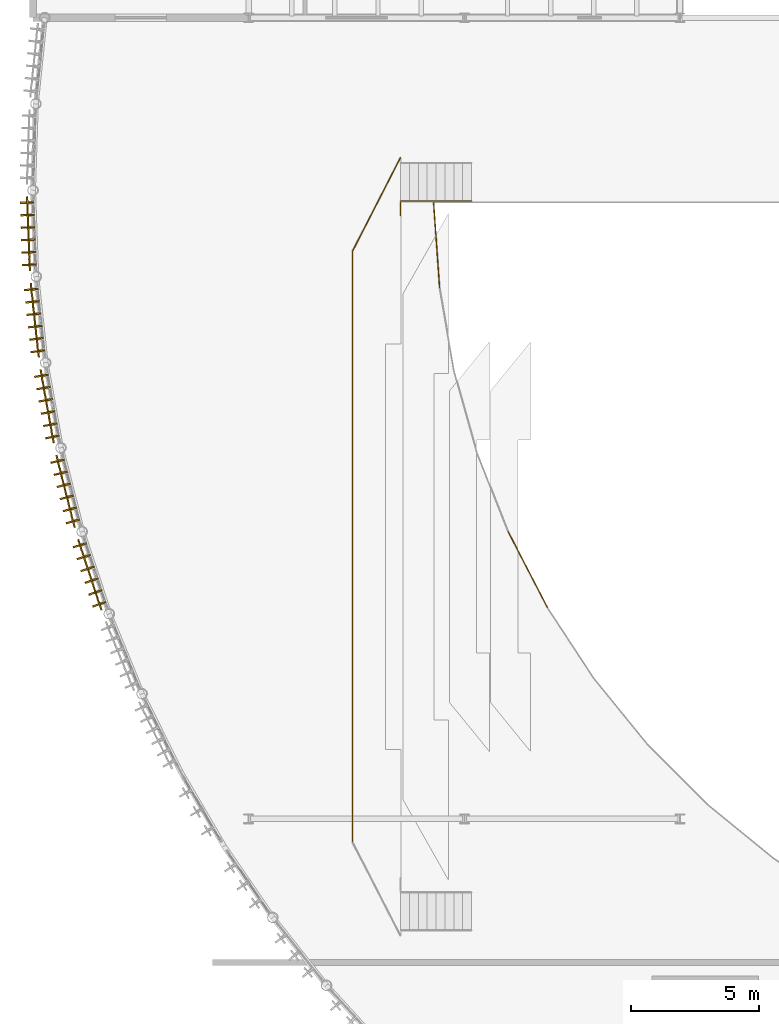
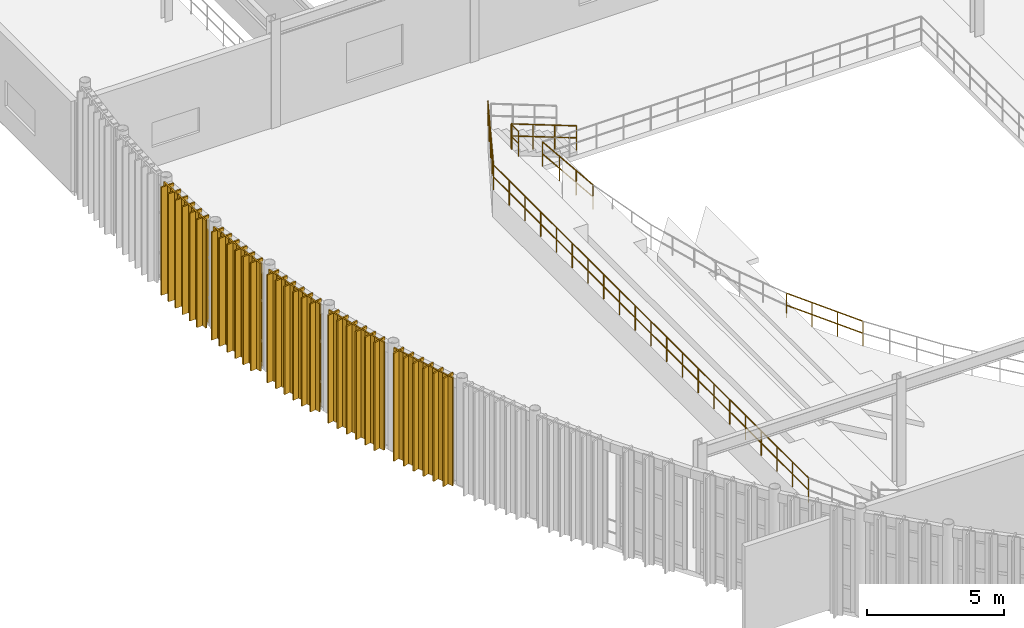
# One storey, part 99 of 105: 30 coverings, 30 shading devices, 6 railings.
"""IFC4 building model written with IfcOpenShell, lengths in metres."""

from ifc_helpers import new_model, si_unit, direction, frame, origin, origin_2d, place, context, subcontext, project, spatial, polyline, rectangle, circle, outline, extrude, material, layer, layer_set, material_profile, profile_set, type_object, element, save


model = new_model("IFC4")

# Units and contexts
model_context = context("Model", 3, precision=1e-05, world=origin(), true_north=direction((0.0, 1.0)))
body_context = subcontext(model_context, "Body", "Model", "MODEL_VIEW")
ifc_project = project(units=[si_unit("LENGTHUNIT", "METRE"), si_unit("AREAUNIT", "SQUARE_METRE"), si_unit("VOLUMEUNIT", "CUBIC_METRE"), si_unit("PLANEANGLEUNIT", "RADIAN"), si_unit("MASSUNIT", "GRAM", prefix="KILO")], contexts=[model_context])

# Site, building, storey
site_placement = place(None, origin())
site = spatial("IfcSite", under=ifc_project, at=site_placement, CompositionType="ELEMENT")
building_placement = place(site_placement, origin())
building = spatial("IfcBuilding", under=site, at=building_placement, Name="Selat Folded Stagehouse", CompositionType="ELEMENT")
storey_placement = place(building_placement, frame((0.0, 0.0, 10.199951171875)))
storey = spatial("IfcBuildingStorey", under=building, at=storey_placement, Name="L02", CompositionType="ELEMENT", Elevation=10.199951171875)

# Coverings
ifc_material_1 = material(Name="Bronze-anodised aluminium 6063-T6", Category="aluminium")
ifc_layer_1 = layer(ifc_material_1, 0.06201171875)
ifc_layer_set_1 = layer_set([ifc_layer_1], Name="Bronze-anodised aluminium 6063-T6")
covering_type = type_object("IfcCoveringType", Name="COV-FIN-BRZ48", PredefinedType="CLADDING", material=ifc_layer_set_1)
covering_1_placement = place(storey_placement, frame((0.0, 0.0, -0.099853515625)))
element("IfcCovering", 1, at=covering_1_placement, inside=storey, type_object=covering_type, Name="L02 drum bronze fin cladding sheath 069", PredefinedType="CLADDING", context=body_context, shape_type="SweptSolid", body=[
    extrude(outline(polyline([(0.037841796875, 47.432861328125), (-0.502197265625, 47.42626953125), (-0.50146484375, 47.3623046875), (0.03857421875, 47.368896484375), (0.037841796875, 47.432861328125)])), origin(), (0.0, 0.0, 1.0), 4.81982421875),
])
covering_2_placement = place(storey_placement, frame((0.0, 0.0, -0.099853515625)))
element("IfcCovering", 2, at=covering_2_placement, inside=storey, type_object=covering_type, Name="L02 drum bronze fin cladding sheath 075", PredefinedType="CLADDING", context=body_context, shape_type="SweptSolid", body=[
    extrude(outline(polyline([(0.055419921875, 46.9521484375), (-0.484375, 46.93994140625), (-0.48291015625, 46.8759765625), (0.056884765625, 46.88818359375), (0.055419921875, 46.9521484375)])), origin(), (0.0, 0.0, 1.0), 4.81982421875),
])
covering_3_placement = place(storey_placement, frame((0.0, 0.0, -0.099853515625)))
element("IfcCovering", 3, at=covering_3_placement, inside=storey, type_object=covering_type, Name="L02 drum bronze fin cladding sheath 081", PredefinedType="CLADDING", context=body_context, shape_type="SweptSolid", body=[
    extrude(outline(polyline([(0.0732421875, 46.471435546875), (-0.46630859375, 46.453857421875), (-0.46435546875, 46.389892578125), (0.075439453125, 46.407470703125), (0.0732421875, 46.471435546875)])), origin(), (0.0, 0.0, 1.0), 4.81982421875),
])
covering_4_placement = place(storey_placement, frame((0.0, 0.0, -0.099853515625)))
element("IfcCovering", 4, at=covering_4_placement, inside=storey, type_object=covering_type, Name="L02 drum bronze fin cladding sheath 087", PredefinedType="CLADDING", context=body_context, shape_type="SweptSolid", body=[
    extrude(outline(polyline([(0.091064453125, 45.99072265625), (-0.448486328125, 45.9677734375), (-0.44580078125, 45.90380859375), (0.09375, 45.9267578125), (0.091064453125, 45.99072265625)])), origin(), (0.0, 0.0, 1.0), 4.81982421875),
])
covering_5_placement = place(storey_placement, frame((0.0, 0.0, -0.099853515625)))
element("IfcCovering", 5, at=covering_5_placement, inside=storey, type_object=covering_type, Name="L02 drum bronze fin cladding sheath 093", PredefinedType="CLADDING", context=body_context, shape_type="SweptSolid", body=[
    extrude(outline(polyline([(0.10888671875, 45.510009765625), (-0.430419921875, 45.4814453125), (-0.427001953125, 45.41748046875), (0.1123046875, 45.446044921875), (0.10888671875, 45.510009765625)])), origin(), (0.0, 0.0, 1.0), 4.81982421875),
])
covering_6_placement = place(storey_placement, frame((0.0, 0.0, -0.099853515625)))
element("IfcCovering", 6, at=covering_6_placement, inside=storey, type_object=covering_type, Name="L02 drum bronze fin cladding sheath 099", PredefinedType="CLADDING", context=body_context, shape_type="SweptSolid", body=[
    extrude(outline(polyline([(0.126708984375, 45.029052734375), (-0.412353515625, 44.995361328125), (-0.408447265625, 44.931396484375), (0.130615234375, 44.96533203125), (0.126708984375, 45.029052734375)])), origin(), (0.0, 0.0, 1.0), 4.81982421875),
])
covering_7_placement = place(storey_placement, frame((0.0, 0.0, -0.099853515625)))
element("IfcCovering", 7, at=covering_7_placement, inside=storey, type_object=covering_type, Name="L02 drum bronze fin cladding sheath 105", PredefinedType="CLADDING", context=body_context, shape_type="SweptSolid", body=[
    extrude(outline(polyline([(0.19580078125, 44.070068359375), (-0.34228515625, 44.025390625), (-0.337158203125, 43.961669921875), (0.200927734375, 44.00634765625), (0.19580078125, 44.070068359375)])), origin(), (0.0, 0.0, 1.0), 4.81982421875),
])
covering_8_placement = place(storey_placement, frame((0.0, 0.0, -0.099853515625)))
element("IfcCovering", 8, at=covering_8_placement, inside=storey, type_object=covering_type, Name="L02 drum bronze fin cladding sheath 111", PredefinedType="CLADDING", context=body_context, shape_type="SweptSolid", body=[
    extrude(outline(polyline([(0.247314453125, 43.591796875), (-0.29052734375, 43.541748046875), (-0.28466796875, 43.47802734375), (0.253173828125, 43.528076171875), (0.247314453125, 43.591796875)])), origin(), (0.0, 0.0, 1.0), 4.81982421875),
])
covering_9_placement = place(storey_placement, frame((0.0, 0.0, -0.099853515625)))
element("IfcCovering", 9, at=covering_9_placement, inside=storey, type_object=covering_type, Name="L02 drum bronze fin cladding sheath 117", PredefinedType="CLADDING", context=body_context, shape_type="SweptSolid", body=[
    extrude(outline(polyline([(0.298583984375, 43.11328125), (-0.238525390625, 43.05810546875), (-0.23193359375, 42.994384765625), (0.30517578125, 43.0498046875), (0.298583984375, 43.11328125)])), origin(), (0.0, 0.0, 1.0), 4.81982421875),
])
covering_10_placement = place(storey_placement, frame((0.0, 0.0, -0.099853515625)))
element("IfcCovering", 10, at=covering_10_placement, inside=storey, type_object=covering_type, Name="L02 drum bronze fin cladding sheath 123", PredefinedType="CLADDING", context=body_context, shape_type="SweptSolid", body=[
    extrude(outline(polyline([(0.35009765625, 42.635009765625), (-0.1865234375, 42.57421875), (-0.17919921875, 42.5107421875), (0.357421875, 42.571533203125), (0.35009765625, 42.635009765625)])), origin(), (0.0, 0.0, 1.0), 4.81982421875),
])
covering_11_placement = place(storey_placement, frame((0.0, 0.0, -0.099853515625)))
element("IfcCovering", 11, at=covering_11_placement, inside=storey, type_object=covering_type, Name="L02 drum bronze fin cladding sheath 129", PredefinedType="CLADDING", context=body_context, shape_type="SweptSolid", body=[
    extrude(outline(polyline([(0.401611328125, 42.15673828125), (-0.134521484375, 42.090576171875), (-0.126708984375, 42.027099609375), (0.4091796875, 42.09326171875), (0.401611328125, 42.15673828125)])), origin(), (0.0, 0.0, 1.0), 4.81982421875),
])
covering_12_placement = place(storey_placement, frame((0.0, 0.0, -0.099853515625)))
element("IfcCovering", 12, at=covering_12_placement, inside=storey, type_object=covering_type, Name="L02 drum bronze fin cladding sheath 135", PredefinedType="CLADDING", context=body_context, shape_type="SweptSolid", body=[
    extrude(outline(polyline([(0.452880859375, 41.678466796875), (-0.082275390625, 41.606689453125), (-0.073974609375, 41.54345703125), (0.46142578125, 41.614990234375), (0.452880859375, 41.678466796875)])), origin(), (0.0, 0.0, 1.0), 4.81982421875),
])
covering_13_placement = place(storey_placement, frame((0.0, 0.0, -0.099853515625)))
element("IfcCovering", 13, at=covering_13_placement, inside=storey, type_object=covering_type, Name="L02 drum bronze fin cladding sheath 141", PredefinedType="CLADDING", context=body_context, shape_type="SweptSolid", body=[
    extrude(outline(polyline([(0.589111328125, 40.7265625), (0.055419921875, 40.644287109375), (0.065185546875, 40.5810546875), (0.598876953125, 40.6630859375), (0.589111328125, 40.7265625)])), origin(), (0.0, 0.0, 1.0), 4.81982421875),
])
covering_14_placement = place(storey_placement, frame((0.0, 0.0, -0.099853515625)))
element("IfcCovering", 14, at=covering_14_placement, inside=storey, type_object=covering_type, Name="L02 drum bronze fin cladding sheath 147", PredefinedType="CLADDING", context=body_context, shape_type="SweptSolid", body=[
    extrude(outline(polyline([(0.674072265625, 40.2529296875), (0.14111328125, 40.165283203125), (0.151611328125, 40.102294921875), (0.684326171875, 40.189697265625), (0.674072265625, 40.2529296875)])), origin(), (0.0, 0.0, 1.0), 4.81982421875),
])
covering_15_placement = place(storey_placement, frame((0.0, 0.0, -0.099853515625)))
element("IfcCovering", 15, at=covering_15_placement, inside=storey, type_object=covering_type, Name="L02 drum bronze fin cladding sheath 153", PredefinedType="CLADDING", context=body_context, shape_type="SweptSolid", body=[
    extrude(outline(polyline([(0.7587890625, 39.779296875), (0.22705078125, 39.6865234375), (0.238037109375, 39.623291015625), (0.77001953125, 39.71630859375), (0.7587890625, 39.779296875)])), origin(), (0.0, 0.0, 1.0), 4.81982421875),
])
covering_16_placement = place(storey_placement, frame((0.0, 0.0, -0.099853515625)))
element("IfcCovering", 16, at=covering_16_placement, inside=storey, type_object=covering_type, Name="L02 drum bronze fin cladding sheath 159", PredefinedType="CLADDING", context=body_context, shape_type="SweptSolid", body=[
    extrude(outline(polyline([(0.84375, 39.305908203125), (0.312744140625, 39.20751953125), (0.324462890625, 39.144775390625), (0.85546875, 39.242919921875), (0.84375, 39.305908203125)])), origin(), (0.0, 0.0, 1.0), 4.81982421875),
])
covering_17_placement = place(storey_placement, frame((0.0, 0.0, -0.099853515625)))
element("IfcCovering", 17, at=covering_17_placement, inside=storey, type_object=covering_type, Name="L02 drum bronze fin cladding sheath 165", PredefinedType="CLADDING", context=body_context, shape_type="SweptSolid", body=[
    extrude(outline(polyline([(0.9287109375, 38.832275390625), (0.398681640625, 38.728759765625), (0.410888671875, 38.666015625), (0.94091796875, 38.76953125), (0.9287109375, 38.832275390625)])), origin(), (0.0, 0.0, 1.0), 4.81982421875),
])
covering_18_placement = place(storey_placement, frame((0.0, 0.0, -0.099853515625)))
element("IfcCovering", 18, at=covering_18_placement, inside=storey, type_object=covering_type, Name="L02 drum bronze fin cladding sheath 171", PredefinedType="CLADDING", context=body_context, shape_type="SweptSolid", body=[
    extrude(outline(polyline([(1.013427734375, 38.35888671875), (0.484619140625, 38.25), (0.497314453125, 38.187255859375), (1.0263671875, 38.296142578125), (1.013427734375, 38.35888671875)])), origin(), (0.0, 0.0, 1.0), 4.81982421875),
])
covering_19_placement = place(storey_placement, frame((0.0, 0.0, -0.099853515625)))
element("IfcCovering", 19, at=covering_19_placement, inside=storey, type_object=covering_type, Name="L02 drum bronze fin cladding sheath 177", PredefinedType="CLADDING", context=body_context, shape_type="SweptSolid", body=[
    extrude(outline(polyline([(1.216064453125, 37.418701171875), (0.689453125, 37.29931640625), (0.70361328125, 37.23681640625), (1.230224609375, 37.3564453125), (1.216064453125, 37.418701171875)])), origin(), (0.0, 0.0, 1.0), 4.81982421875),
])
covering_20_placement = place(storey_placement, frame((0.0, 0.0, -0.099853515625)))
element("IfcCovering", 20, at=covering_20_placement, inside=storey, type_object=covering_type, Name="L02 drum bronze fin cladding sheath 183", PredefinedType="CLADDING", context=body_context, shape_type="SweptSolid", body=[
    extrude(outline(polyline([(1.333984375, 36.952392578125), (0.80859375, 36.82763671875), (0.823486328125, 36.765380859375), (1.348876953125, 36.89013671875), (1.333984375, 36.952392578125)])), origin(), (0.0, 0.0, 1.0), 4.81982421875),
])
covering_21_placement = place(storey_placement, frame((0.0, 0.0, -0.099853515625)))
element("IfcCovering", 21, at=covering_21_placement, inside=storey, type_object=covering_type, Name="L02 drum bronze fin cladding sheath 189", PredefinedType="CLADDING", context=body_context, shape_type="SweptSolid", body=[
    extrude(outline(polyline([(1.451904296875, 36.48583984375), (0.927734375, 36.35595703125), (0.943115234375, 36.293701171875), (1.46728515625, 36.423828125), (1.451904296875, 36.48583984375)])), origin(), (0.0, 0.0, 1.0), 4.81982421875),
])
covering_22_placement = place(storey_placement, frame((0.0, 0.0, -0.099853515625)))
element("IfcCovering", 22, at=covering_22_placement, inside=storey, type_object=covering_type, Name="L02 drum bronze fin cladding sheath 195", PredefinedType="CLADDING", context=body_context, shape_type="SweptSolid", body=[
    extrude(outline(polyline([(1.569580078125, 36.01953125), (1.046875, 35.88427734375), (1.06298828125, 35.822265625), (1.585693359375, 35.95751953125), (1.569580078125, 36.01953125)])), origin(), (0.0, 0.0, 1.0), 4.81982421875),
])
covering_23_placement = place(storey_placement, frame((0.0, 0.0, -0.099853515625)))
element("IfcCovering", 23, at=covering_23_placement, inside=storey, type_object=covering_type, Name="L02 drum bronze fin cladding sheath 201", PredefinedType="CLADDING", context=body_context, shape_type="SweptSolid", body=[
    extrude(outline(polyline([(1.6875, 35.552978515625), (1.166259765625, 35.41259765625), (1.182861328125, 35.350830078125), (1.7041015625, 35.4912109375), (1.6875, 35.552978515625)])), origin(), (0.0, 0.0, 1.0), 4.81982421875),
])
covering_24_placement = place(storey_placement, frame((0.0, 0.0, -0.099853515625)))
element("IfcCovering", 24, at=covering_24_placement, inside=storey, type_object=covering_type, Name="L02 drum bronze fin cladding sheath 207", PredefinedType="CLADDING", context=body_context, shape_type="SweptSolid", body=[
    extrude(outline(polyline([(1.805419921875, 35.086669921875), (1.285400390625, 34.94091796875), (1.302734375, 34.87939453125), (1.82275390625, 35.02490234375), (1.805419921875, 35.086669921875)])), origin(), (0.0, 0.0, 1.0), 4.81982421875),
])
covering_25_placement = place(storey_placement, frame((0.0, 0.0, -0.099853515625)))
element("IfcCovering", 25, at=covering_25_placement, inside=storey, type_object=covering_type, Name="L02 drum bronze fin cladding sheath 213", PredefinedType="CLADDING", context=body_context, shape_type="SweptSolid", body=[
    extrude(outline(polyline([(2.073486328125, 34.1630859375), (1.556640625, 34.007080078125), (1.5751953125, 33.94580078125), (2.092041015625, 34.101806640625), (2.073486328125, 34.1630859375)])), origin(), (0.0, 0.0, 1.0), 4.81982421875),
])
covering_26_placement = place(storey_placement, frame((0.0, 0.0, -0.099853515625)))
element("IfcCovering", 26, at=covering_26_placement, inside=storey, type_object=covering_type, Name="L02 drum bronze fin cladding sheath 219", PredefinedType="CLADDING", context=body_context, shape_type="SweptSolid", body=[
    extrude(outline(polyline([(2.223876953125, 33.706298828125), (1.70849609375, 33.544921875), (1.7275390625, 33.48388671875), (2.242919921875, 33.64501953125), (2.223876953125, 33.706298828125)])), origin(), (0.0, 0.0, 1.0), 4.81982421875),
])
covering_27_placement = place(storey_placement, frame((0.0, 0.0, -0.099853515625)))
element("IfcCovering", 27, at=covering_27_placement, inside=storey, type_object=covering_type, Name="L02 drum bronze fin cladding sheath 225", PredefinedType="CLADDING", context=body_context, shape_type="SweptSolid", body=[
    extrude(outline(polyline([(2.3740234375, 33.249267578125), (1.8603515625, 33.082763671875), (1.880126953125, 33.02197265625), (2.393798828125, 33.188232421875), (2.3740234375, 33.249267578125)])), origin(), (0.0, 0.0, 1.0), 4.81982421875),
])
covering_28_placement = place(storey_placement, frame((0.0, 0.0, -0.099853515625)))
element("IfcCovering", 28, at=covering_28_placement, inside=storey, type_object=covering_type, Name="L02 drum bronze fin cladding sheath 231", PredefinedType="CLADDING", context=body_context, shape_type="SweptSolid", body=[
    extrude(outline(polyline([(2.5244140625, 32.792236328125), (2.012451171875, 32.62060546875), (2.03271484375, 32.559814453125), (2.544921875, 32.7314453125), (2.5244140625, 32.792236328125)])), origin(), (0.0, 0.0, 1.0), 4.81982421875),
])
covering_29_placement = place(storey_placement, frame((0.0, 0.0, -0.099853515625)))
element("IfcCovering", 29, at=covering_29_placement, inside=storey, type_object=covering_type, Name="L02 drum bronze fin cladding sheath 237", PredefinedType="CLADDING", context=body_context, shape_type="SweptSolid", body=[
    extrude(outline(polyline([(2.6748046875, 32.335205078125), (2.16455078125, 32.158447265625), (2.185302734375, 32.097900390625), (2.69580078125, 32.274658203125), (2.6748046875, 32.335205078125)])), origin(), (0.0, 0.0, 1.0), 4.81982421875),
])
covering_30_placement = place(storey_placement, frame((0.0, 0.0, -0.099853515625)))
element("IfcCovering", 30, at=covering_30_placement, inside=storey, type_object=covering_type, Name="L02 drum bronze fin cladding sheath 243", PredefinedType="CLADDING", context=body_context, shape_type="SweptSolid", body=[
    extrude(outline(polyline([(2.824951171875, 31.878173828125), (2.31640625, 31.6962890625), (2.338134765625, 31.635986328125), (2.8466796875, 31.81787109375), (2.824951171875, 31.878173828125)])), origin(), (0.0, 0.0, 1.0), 4.81982421875),
])

# Railings
ifc_material_2 = material(Name="Bronze-anodised steel balustrade", Category="steel")
ifc_layer_2 = layer(ifc_material_2, 0.06494140625)
ifc_layer_set_2 = layer_set([ifc_layer_2], Name="Bronze-anodised steel balustrade")
railing_type = type_object("IfcRailingType", Name="RLG-BAL-1120", PredefinedType="BALUSTRADE", material=ifc_layer_set_2)
railing_1_placement = place(storey_placement, frame((12.449951171875, 22.486083984375, 1.215087890625)))
element("IfcRailing", 31, at=railing_1_placement, inside=storey, type_object=railing_type, Name="L02 protective guard railing 022", PredefinedType="BALUSTRADE", context=body_context, shape_type="SweptSolid", body=[
    extrude(circle(Radius=0.02392578125, at=origin_2d()), frame((0.0, 0.0, 1.09619140625), z_axis=(0.0, 1.0, 0.0), x_axis=(-1.0, 0.0, 0.0)), (0.0, 0.0, 1.0), 23.02783203125),
    extrude(circle(Radius=0.02392578125, at=origin_2d()), frame((0.0, 0.0, 0.56005859375), z_axis=(0.0, 1.0, 0.0), x_axis=(-1.0, 0.0, 0.0)), (0.0, 0.0, 1.0), 23.02783203125),
    extrude(circle(Radius=0.02099609375, at=origin_2d()), origin(), (0.0, 0.0, 1.0), 1.072021484375),
    extrude(circle(Radius=0.02099609375, at=origin_2d()), frame((0.0, 1.1513671875, 0.0)), (0.0, 0.0, 1.0), 1.072021484375),
    extrude(circle(Radius=0.02099609375, at=origin_2d()), frame((0.0, 2.302734375, 0.0)), (0.0, 0.0, 1.0), 1.072021484375),
    extrude(circle(Radius=0.02099609375, at=origin_2d()), frame((0.0, 3.4541015625, 0.0)), (0.0, 0.0, 1.0), 1.072021484375),
    extrude(circle(Radius=0.02099609375, at=origin_2d()), frame((0.0, 4.60546875, 0.0)), (0.0, 0.0, 1.0), 1.072021484375),
    extrude(circle(Radius=0.02099609375, at=origin_2d()), frame((0.0, 5.7568359375, 0.0)), (0.0, 0.0, 1.0), 1.072021484375),
    extrude(circle(Radius=0.02099609375, at=origin_2d()), frame((0.0, 6.908447265625, 0.0)), (0.0, 0.0, 1.0), 1.072021484375),
    extrude(circle(Radius=0.02099609375, at=origin_2d()), frame((0.0, 8.059814453125, 0.0)), (0.0, 0.0, 1.0), 1.072021484375),
    extrude(circle(Radius=0.02099609375, at=origin_2d()), frame((0.0, 9.211181640625, 0.0)), (0.0, 0.0, 1.0), 1.072021484375),
    extrude(circle(Radius=0.02099609375, at=origin_2d()), frame((0.0, 10.362548828125, 0.0)), (0.0, 0.0, 1.0), 1.072021484375),
    extrude(circle(Radius=0.02099609375, at=origin_2d()), frame((0.0, 11.513916015625, 0.0)), (0.0, 0.0, 1.0), 1.072021484375),
    extrude(circle(Radius=0.02099609375, at=origin_2d()), frame((0.0, 12.665283203125, 0.0)), (0.0, 0.0, 1.0), 1.072021484375),
    extrude(circle(Radius=0.02099609375, at=origin_2d()), frame((0.0, 13.816650390625, 0.0)), (0.0, 0.0, 1.0), 1.072021484375),
    extrude(circle(Radius=0.02099609375, at=origin_2d()), frame((0.0, 14.968017578125, 0.0)), (0.0, 0.0, 1.0), 1.072021484375),
    extrude(circle(Radius=0.02099609375, at=origin_2d()), frame((0.0, 16.119384765625, 0.0)), (0.0, 0.0, 1.0), 1.072021484375),
    extrude(circle(Radius=0.02099609375, at=origin_2d()), frame((0.0, 17.27099609375, 0.0)), (0.0, 0.0, 1.0), 1.072021484375),
    extrude(circle(Radius=0.02099609375, at=origin_2d()), frame((0.0, 18.42236328125, 0.0)), (0.0, 0.0, 1.0), 1.072021484375),
    extrude(circle(Radius=0.02099609375, at=origin_2d()), frame((0.0, 19.57373046875, 0.0)), (0.0, 0.0, 1.0), 1.072021484375),
    extrude(circle(Radius=0.02099609375, at=origin_2d()), frame((0.0, 20.72509765625, 0.0)), (0.0, 0.0, 1.0), 1.072021484375),
    extrude(circle(Radius=0.02099609375, at=origin_2d()), frame((0.0, 21.87646484375, 0.0)), (0.0, 0.0, 1.0), 1.072021484375),
    extrude(circle(Radius=0.02099609375, at=origin_2d()), frame((0.0, 23.02783203125, 0.0)), (0.0, 0.0, 1.0), 1.072021484375),
])
railing_2_placement = place(storey_placement, frame((12.449951171875, 45.513916015625, 1.215087890625)))
element("IfcRailing", 32, at=railing_2_placement, inside=storey, type_object=railing_type, Name="L02 protective guard railing 023", PredefinedType="BALUSTRADE", context=body_context, shape_type="SweptSolid", body=[
    extrude(circle(Radius=0.02392578125, at=origin_2d()), frame((0.0, 0.0, 1.09619140625), z_axis=(0.455443852717, 0.890264509583, 0.0), x_axis=(-0.890264509583, 0.455443852717, 0.0)), (0.0, 0.0, 1.0), 4.084228515625),
    extrude(circle(Radius=0.02392578125, at=origin_2d()), frame((0.0, 0.0, 0.56005859375), z_axis=(0.455443852717, 0.890264509583, 0.0), x_axis=(-0.890264509583, 0.455443852717, 0.0)), (0.0, 0.0, 1.0), 4.084228515625),
    extrude(circle(Radius=0.02099609375, at=origin_2d()), origin(), (0.0, 0.0, 1.0), 1.072021484375),
    extrude(circle(Radius=0.02099609375, at=origin_2d()), frame((0.465087890625, 0.908935546875, 0.0)), (0.0, 0.0, 1.0), 1.072021484375),
    extrude(circle(Radius=0.02099609375, at=origin_2d()), frame((0.93017578125, 1.81787109375, 0.0)), (0.0, 0.0, 1.0), 1.072021484375),
    extrude(circle(Radius=0.02099609375, at=origin_2d()), frame((1.39501953125, 2.72705078125, 0.0)), (0.0, 0.0, 1.0), 1.072021484375),
    extrude(circle(Radius=0.02099609375, at=origin_2d()), frame((1.860107421875, 3.635986328125, 0.0)), (0.0, 0.0, 1.0), 1.072021484375),
])
railing_3_placement = place(storey_placement, frame((14.31005859375, 46.89990234375, 1.215087890625)))
element("IfcRailing", 33, at=railing_3_placement, inside=storey, type_object=railing_type, Name="L02 protective guard railing 025", PredefinedType="BALUSTRADE", context=body_context, shape_type="SweptSolid", body=[
    extrude(circle(Radius=0.02392578125, at=origin_2d()), frame((0.0, 0.0, 1.09619140625), z_axis=(0.0, 1.0, 0.0), x_axis=(-1.0, 0.0, 0.0)), (0.0, 0.0, 1.0), 0.5),
    extrude(circle(Radius=0.02392578125, at=origin_2d()), frame((0.0, 0.0, 0.56005859375), z_axis=(0.0, 1.0, 0.0), x_axis=(-1.0, 0.0, 0.0)), (0.0, 0.0, 1.0), 0.5),
    extrude(circle(Radius=0.02099609375, at=origin_2d()), origin(), (0.0, 0.0, 1.0), 1.072021484375),
    extrude(circle(Radius=0.02099609375, at=origin_2d()), frame((0.0, 0.5, 0.0)), (0.0, 0.0, 1.0), 1.072021484375),
])
railing_4_placement = place(storey_placement, frame((20.033447265625, 31.640625, 0.0)))
element("IfcRailing", 34, at=railing_4_placement, inside=storey, type_object=railing_type, Name="L02 protective guard railing 092", PredefinedType="BALUSTRADE", context=body_context, shape_type="SweptSolid", body=[
    extrude(circle(Radius=0.02392578125, at=origin_2d()), frame((0.0, 0.0, 1.09619140625), z_axis=(-0.460183610824, 0.887823768734, 0.0), x_axis=(-0.887823768734, -0.460183610824, 0.0)), (0.0, 0.0, 1.0), 3.308349609375),
    extrude(circle(Radius=0.02392578125, at=origin_2d()), frame((0.0, 0.0, 0.56005859375), z_axis=(-0.460183610824, 0.887823768734, 0.0), x_axis=(-0.887823768734, -0.460183610824, 0.0)), (0.0, 0.0, 1.0), 3.308349609375),
    extrude(circle(Radius=0.02099609375, at=origin_2d()), origin(), (0.0, 0.0, 1.0), 1.072021484375),
    extrude(circle(Radius=0.02099609375, at=origin_2d()), frame((-0.507568359375, 0.97900390625, 0.0)), (0.0, 0.0, 1.0), 1.072021484375),
    extrude(circle(Radius=0.02099609375, at=origin_2d()), frame((-1.014892578125, 1.958251953125, 0.0)), (0.0, 0.0, 1.0), 1.072021484375),
    extrude(circle(Radius=0.02099609375, at=origin_2d()), frame((-1.5224609375, 2.937255859375, 0.0)), (0.0, 0.0, 1.0), 1.072021484375),
])
railing_5_placement = place(storey_placement, frame((15.835693359375, 44.099609375, 0.0)))
element("IfcRailing", 35, at=railing_5_placement, inside=storey, type_object=railing_type, Name="L02 protective guard railing 096", PredefinedType="BALUSTRADE", context=body_context, shape_type="SweptSolid", body=[
    extrude(circle(Radius=0.02392578125, at=origin_2d()), frame((0.0, 0.0, 1.09619140625), z_axis=(-0.069516284178, 0.997580816894, 0.0), x_axis=(-0.997580816894, -0.069516284178, 0.0)), (0.0, 0.0, 1.0), 3.308349609375),
    extrude(circle(Radius=0.02392578125, at=origin_2d()), frame((0.0, 0.0, 0.56005859375), z_axis=(-0.069516284178, 0.997580816894, 0.0), x_axis=(-0.997580816894, -0.069516284178, 0.0)), (0.0, 0.0, 1.0), 3.308349609375),
    extrude(circle(Radius=0.02099609375, at=origin_2d()), origin(), (0.0, 0.0, 1.0), 1.072021484375),
    extrude(circle(Radius=0.02099609375, at=origin_2d()), frame((-0.07666015625, 1.10009765625, 0.0)), (0.0, 0.0, 1.0), 1.072021484375),
    extrude(circle(Radius=0.02099609375, at=origin_2d()), frame((-0.1533203125, 2.2001953125, 0.0)), (0.0, 0.0, 1.0), 1.072021484375),
    extrude(circle(Radius=0.02099609375, at=origin_2d()), frame((-0.22998046875, 3.30029296875, 0.0)), (0.0, 0.0, 1.0), 1.072021484375),
])
railing_6_placement = place(storey_placement, frame((17.080078125, 47.4599609375, 0.16015625)))
element("IfcRailing", 36, at=railing_6_placement, inside=storey, type_object=railing_type, Name="L02 aisle stair balustrade STA-MT-L02-N-S", PredefinedType="BALUSTRADE", context=body_context, shape_type="SweptSolid", body=[
    extrude(circle(Radius=0.02392578125, at=origin_2d()), frame((0.0, 0.0, 1.09619140625), z_axis=(-0.934093173048, 0.0, 0.357029332219), x_axis=(0.0, -1.0, 0.0)), (0.0, 0.0, 1.0), 2.954833984375),
    extrude(circle(Radius=0.02392578125, at=origin_2d()), frame((0.0, 0.0, 0.56005859375), z_axis=(-0.934093173048, 0.0, 0.357029332219), x_axis=(0.0, -1.0, 0.0)), (0.0, 0.0, 1.0), 2.954833984375),
    extrude(circle(Radius=0.02099609375, at=origin_2d()), origin(), (0.0, 0.0, 1.0), 1.072021484375),
    extrude(circle(Radius=0.02099609375, at=origin_2d()), frame((-0.919921875, 0.0, 0.3515625)), (0.0, 0.0, 1.0), 1.072021484375),
    extrude(circle(Radius=0.02099609375, at=origin_2d()), frame((-1.840087890625, 0.0, 0.703369140625)), (0.0, 0.0, 1.0), 1.072021484375),
    extrude(circle(Radius=0.02099609375, at=origin_2d()), frame((-2.760009765625, 0.0, 1.054931640625)), (0.0, 0.0, 1.0), 1.072021484375),
])

# Shading devices
ifc_material_profile = material_profile(ifc_material_1, rectangle(XDim=0.06005859375, YDim=0.47998046875, at=origin_2d()), Name="SOLAR-FIN 480x60")
ifc_profile_set = profile_set([ifc_material_profile], Name="Bronze-anodised aluminium 6063-T6")
shading_device_type = type_object("IfcShadingDeviceType", Name="SHD-FIN-480x60", PredefinedType="USERDEFINED", material=ifc_profile_set)
for number, where, z_axis, x_axis, name in (
    (37, (-0.2216796875, 47.397705078125, -0.099853515625), (0.0, 0.0, 1.0), (-0.999921044204, -0.012566039883, 0.0), "L02 drum vertical bronze solar fin 069"),
    (38, (-0.20361328125, 46.914306640625, -0.099853515625), (0.0, 0.0, 1.0), (-0.999746553782, -0.022512845226, 0.0), "L02 drum vertical bronze solar fin 075"),
    (39, (-0.185546875, 46.430908203125, -0.099853515625), (0.0, 0.0, 1.0), (-0.999467438949, -0.032631862958, 0.0), "L02 drum vertical bronze solar fin 081"),
    (40, (-0.167236328125, 45.947509765625, -0.099853515625), (0.0, 0.0, 1.0), (-0.9990933519, -0.042573162788, 0.0), "L02 drum vertical bronze solar fin 087"),
    (41, (-0.149169921875, 45.46435546875, -0.099853515625), (0.0, 0.0, 1.0), (-0.998620385197, -0.052510249179, 0.0), "L02 drum vertical bronze solar fin 093"),
    (42, (-0.130859375, 44.98095703125, -0.099853515625), (0.0, 0.0, 1.0), (-0.99803767224, -0.06261633005, 0.0), "L02 drum vertical bronze solar fin 099"),
    (43, (-0.060791015625, 44.0166015625, -0.099853515625), (0.0, 0.0, 1.0), (-0.996579940078, -0.08263427276, 0.0), "L02 drum vertical bronze solar fin 105"),
    (44, (-0.0087890625, 43.535888671875, -0.099853515625), (0.0, 0.0, 1.0), (-0.99570856131, -0.092544372783, 0.0), "L02 drum vertical bronze solar fin 111"),
    (45, (0.043212890625, 43.054931640625, -0.099853515625), (0.0, 0.0, 1.0), (-0.994720742649, -0.10261892683, 0.0), "L02 drum vertical bronze solar fin 117"),
    (46, (0.09521484375, 42.573974609375, -0.099853515625), (0.0, 0.0, 1.0), (-0.993650644295, -0.112509542228, 0.0), "L02 drum vertical bronze solar fin 123"),
    (47, (0.1474609375, 42.093017578125, -0.099853515625), (0.0, 0.0, 1.0), (-0.992460828919, -0.122562241583, 0.0), "L02 drum vertical bronze solar fin 129"),
    (48, (0.199462890625, 41.6123046875, -0.099853515625), (0.0, 0.0, 1.0), (-0.99119244206, -0.13242938799, 0.0), "L02 drum vertical bronze solar fin 135"),
    (49, (0.337158203125, 40.6552734375, -0.099853515625), (0.0, 0.0, 1.0), (-0.988334944875, -0.152295885498, 0.0), "L02 drum vertical bronze solar fin 141"),
    (50, (0.422607421875, 40.17919921875, -0.099853515625), (0.0, 0.0, 1.0), (-0.986770965572, -0.162120515372, 0.0), "L02 drum vertical bronze solar fin 147"),
    (51, (0.50830078125, 39.703125, -0.099853515625), (0.0, 0.0, 1.0), (-0.985079303862, -0.172101031672, 0.0), "L02 drum vertical bronze solar fin 153"),
    (52, (0.593994140625, 39.22705078125, -0.099853515625), (0.0, 0.0, 1.0), (-0.983318459858, -0.181892293686, 0.0), "L02 drum vertical bronze solar fin 159"),
    (53, (0.6796875, 38.7509765625, -0.099853515625), (0.0, 0.0, 1.0), (-0.981426830534, -0.191836848149, 0.0), "L02 drum vertical bronze solar fin 165"),
    (54, (0.76513671875, 38.27490234375, -0.099853515625), (0.0, 0.0, 1.0), (-0.979469831173, -0.20159079796, 0.0), "L02 drum vertical bronze solar fin 171"),
    (55, (0.9697265625, 37.330078125, -0.099853515625), (0.0, 0.0, 1.0), (-0.975226629909, -0.22120809279, 0.0), "L02 drum vertical bronze solar fin 177"),
    (56, (1.08837890625, 36.861083984375, -0.099853515625), (0.0, 0.0, 1.0), (-0.972937431695, -0.231068721395, 0.0), "L02 drum vertical bronze solar fin 183"),
    (57, (1.207275390625, 36.392333984375, -0.099853515625), (0.0, 0.0, 1.0), (-0.970590565411, -0.240736275485, 0.0), "L02 drum vertical bronze solar fin 189"),
    (58, (1.325927734375, 35.92333984375, -0.099853515625), (0.0, 0.0, 1.0), (-0.968103926078, -0.25054897388, 0.0), "L02 drum vertical bronze solar fin 195"),
    (59, (1.44482421875, 35.45458984375, -0.099853515625), (0.0, 0.0, 1.0), (-0.965563505285, -0.260167479254, 0.0), "L02 drum vertical bronze solar fin 201"),
    (60, (1.563720703125, 34.985595703125, -0.099853515625), (0.0, 0.0, 1.0), (-0.962880426559, -0.26992829446, 0.0), "L02 drum vertical bronze solar fin 207"),
    (61, (1.833984375, 34.057373046875, -0.099853515625), (0.0, 0.0, 1.0), (-0.957319497532, -0.289031796944, 0.0), "L02 drum vertical bronze solar fin 213"),
    (62, (1.9853515625, 33.597900390625, -0.099853515625), (0.0, 0.0, 1.0), (-0.954344655307, -0.298707681332, 0.0), "L02 drum vertical bronze solar fin 219"),
    (63, (2.13671875, 33.138671875, -0.099853515625), (0.0, 0.0, 1.0), (-0.951325822325, -0.308186923436, 0.0), "L02 drum vertical bronze solar fin 225"),
    (64, (2.2880859375, 32.67919921875, -0.099853515625), (0.0, 0.0, 1.0), (-0.94815738489, -0.317801153992, 0.0), "L02 drum vertical bronze solar fin 231"),
    (65, (2.439453125, 32.219970703125, -0.099853515625), (0.0, 0.0, 1.0), (-0.944948912158, -0.327217898979, 0.0), "L02 drum vertical bronze solar fin 237"),
    (66, (2.591064453125, 31.760498046875, -0.099853515625), (0.0, 0.0, 1.0), (-0.941588155895, -0.336766602676, 0.0), "L02 drum vertical bronze solar fin 243"),
):
    element("IfcShadingDevice", number, at=place(storey_placement, frame(where, z_axis=z_axis, x_axis=x_axis)), inside=storey, type_object=shading_device_type, Name=name, ObjectType="FIN", PredefinedType="USERDEFINED", context=body_context, shape_type="SweptSolid", body=[
        extrude(rectangle(XDim=0.06005859375, YDim=0.47998046875, at=origin_2d()), origin(), (0.0, 0.0, 1.0), 4.81982421875),
    ])

save(model, "model.ifc")
